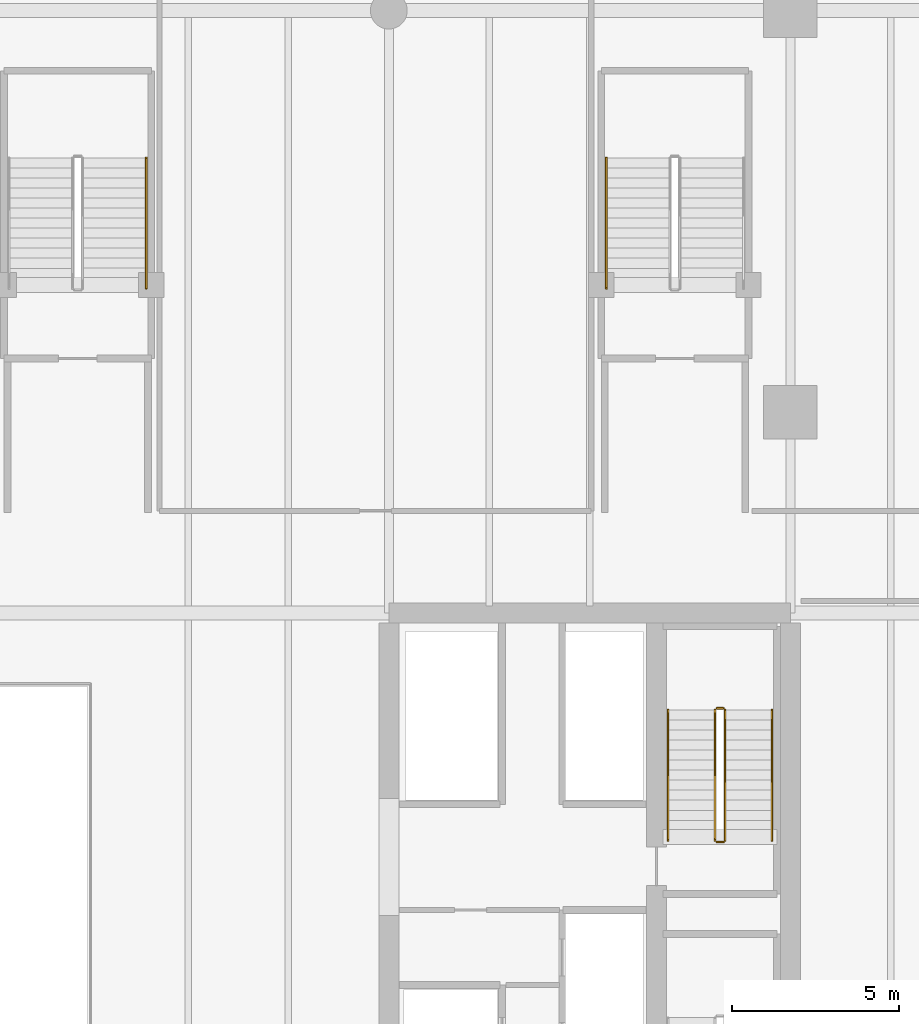
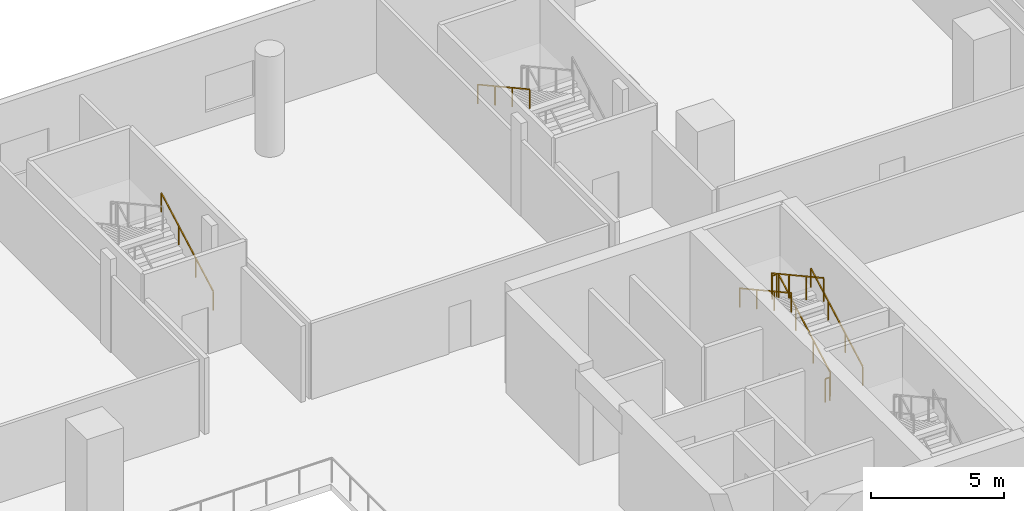
# One storey, part 24 of 27: 8 railings.
"""IFC4 building model written with IfcOpenShell, lengths in metres."""

import ifcopenshell
import ifcopenshell.guid

model = None  # the IFC model being written
_history = None  # IfcOwnerHistory: only IFC2X3 demands one
_inside = {}  # id of a spatial element -> (the spatial element, [elements in it])
_under = {}  # id of a project, library or spatial element -> (it, [spatial elements below it])
_declared = {}  # id of a project -> (the project, [libraries it declares])
_typed = {}  # id of a type object -> (the type object, [elements of that type])
_made_of = {}  # id of a material, layer set ... -> (it, [elements and type objects made of it])


def new_model(schema):
    """Start an empty IFC model of exactly this schema.

    Asked for "IFC4X3", IfcOpenShell would pick the latest addendum, in which some entities
    have other attributes; the version numbers below select the first issue.
    IFC2X3 requires an IfcOwnerHistory on every rooted entity: one is made here for all.
    """
    global model, _history
    if schema == "IFC4X3":
        model = ifcopenshell.file(schema_version=(4, 3, 0, 0))
    else:
        model = ifcopenshell.file(schema=schema)
    _inside.clear()
    _under.clear()
    _declared.clear()
    _typed.clear()
    _made_of.clear()
    _history = None
    if model.schema == "IFC2X3":
        org = make("IfcOrganization", Name="unknown")
        user = make(
            "IfcPersonAndOrganization",
            ThePerson=make("IfcPerson", FamilyName="unknown"),
            TheOrganization=org,
        )
        app = make(
            "IfcApplication",
            ApplicationDeveloper=org,
            Version="unknown",
            ApplicationFullName="unknown",
            ApplicationIdentifier="unknown",
        )
        _history = make(
            "IfcOwnerHistory",
            OwningUser=user,
            OwningApplication=app,
            ChangeAction="ADDED",
            CreationDate=0,
        )
    return model


def make(cls, **values):
    """One entity of the class cls with the attributes given. An attribute that is None is left unset."""
    return model.create_entity(
        cls, **{name: value for name, value in values.items() if value is not None}
    )


def rooted(cls, **values):
    """An entity with a GlobalId (a new one), such as an element, a storey or a relation."""
    return make(cls, GlobalId=ifcopenshell.guid.new(), OwnerHistory=_history, **values)


def si_unit(unit_type, name, prefix=None):
    """IfcSIUnit, for example si_unit("LENGTHUNIT", "METRE", prefix="MILLI")."""
    return make("IfcSIUnit", UnitType=unit_type, Prefix=prefix, Name=name)


def assignment(units):
    """IfcUnitAssignment: the units of a project."""
    return None if units is None else make("IfcUnitAssignment", Units=units)


def point(xyz):
    """IfcCartesianPoint."""
    return None if xyz is None else make("IfcCartesianPoint", Coordinates=xyz)


def direction(xyz):
    """IfcDirection."""
    return None if xyz is None else make("IfcDirection", DirectionRatios=xyz)


def frame(location, z_axis=None, x_axis=None):
    """IfcAxis2Placement3D, a coordinate frame: its origin and axes. An axis left out is left unset."""
    return make(
        "IfcAxis2Placement3D",
        Location=point(location),
        Axis=direction(z_axis),
        RefDirection=direction(x_axis),
    )


def origin():
    """The frame at (0, 0, 0) with its axes left unset."""
    return frame((0.0, 0.0, 0.0))


def place(relative_to, where):
    """IfcLocalPlacement: puts the frame where relative to a parent placement (None: the world)."""
    return make(
        "IfcLocalPlacement", PlacementRelTo=relative_to, RelativePlacement=where
    )


def context(
    kind, dimensions, precision=None, world=None, true_north=None, identifier=None
):
    """IfcGeometricRepresentationContext, for example the 3D "Model" context."""
    return make(
        "IfcGeometricRepresentationContext",
        ContextIdentifier=identifier,
        ContextType=kind,
        CoordinateSpaceDimension=dimensions,
        Precision=precision,
        WorldCoordinateSystem=world,
        TrueNorth=true_north,
    )


def subcontext(parent, identifier, kind, view, scale=None):
    """IfcGeometricRepresentationSubContext, for example "Body" below "Model"."""
    return make(
        "IfcGeometricRepresentationSubContext",
        ContextIdentifier=identifier,
        ContextType=kind,
        ParentContext=parent,
        TargetScale=scale,
        TargetView=view,
    )


def project(units=None, contexts=None):
    """IfcProject with its units and contexts."""
    return rooted(
        "IfcProject",
        Name="project",
        RepresentationContexts=contexts,
        UnitsInContext=assignment(units),
    )


def spatial(cls, under=None, at=None, **own):
    """A site, building, storey or space (cls), placed at a placement, below another one or the project."""
    s = rooted(cls, ObjectPlacement=at, **own)
    if under is not None:
        _under.setdefault(under.id(), (under, []))[1].append(s)
    return s


def profile(cls, at=None, kind="AREA", **sizes):
    """A parametric profile (cls). Its sizes go by their IFC names, for example OverallWidth=200.0."""
    return make(cls, ProfileType=kind, Position=at, **sizes)


def rectangle(**sizes):
    """IfcRectangleProfileDef."""
    return profile("IfcRectangleProfileDef", **sizes)


def extrude(swept, where, along, depth):
    """IfcExtrudedAreaSolid: the profile swept, set in the frame where, extruded along a direction by depth."""
    return make(
        "IfcExtrudedAreaSolid",
        SweptArea=swept,
        Position=where,
        ExtrudedDirection=direction(along),
        Depth=depth,
    )


def shape(context_of_items, identifier, shape_type, items):
    """IfcShapeRepresentation: the items that make up one representation, for example the "Body"."""
    return make(
        "IfcShapeRepresentation",
        ContextOfItems=context_of_items,
        RepresentationIdentifier=identifier,
        RepresentationType=shape_type,
        Items=items,
    )


def material(Name=None, Category=None):
    """IfcMaterial."""
    return make("IfcMaterial", Name=Name, Category=Category)


def made_of(thing, what):
    """Note that an element or type object is made of a material, layer set ...; save() writes the relation."""
    if what is not None:
        _made_of.setdefault(what.id(), (what, []))[1].append(thing)
    return thing


def type_object(cls, material=None, **own):
    """A type object (cls), such as IfcWallType, which elements share."""
    return made_of(rooted(cls, **own), material)


def element(
    cls,
    number,
    at=None,
    inside=None,
    cuts=None,
    type_object=None,
    material=None,
    context=None,
    identifier="Body",
    shape_type=None,
    held_by="IfcProductDefinitionShape",
    body=None,
    shapes=None,
    **own,
):
    """One element of the class cls, such as IfcWall. Its Tag is "e" and its number.

    at: its placement. inside: the storey or other place that contains it. cuts: it is an
    opening in that element (IfcRelVoidsElement). A single representation is given by context,
    identifier, shape_type and body (its items); several are given by shapes. held_by: the class
    of the entity that holds the representations. save() writes the other relations.
    """
    e = rooted(cls, Tag="e%d" % number, ObjectPlacement=at, **own)
    if body is not None:
        shapes = [shape(context, identifier, shape_type, body)]
    if shapes is not None:
        e.Representation = make(held_by, Representations=shapes)
    if inside is not None:
        _inside.setdefault(inside.id(), (inside, []))[1].append(e)
    if cuts is not None:
        rooted(
            "IfcRelVoidsElement", RelatingBuildingElement=cuts, RelatedOpeningElement=e
        )
    if type_object is not None:
        _typed.setdefault(type_object.id(), (type_object, []))[1].append(e)
    return made_of(e, material)


def aggregate(whole, parts):
    """IfcRelAggregates: a whole, such as a stair, and the parts it consists of."""
    return rooted("IfcRelAggregates", RelatingObject=whole, RelatedObjects=parts)


def save(model, path):
    """Write the relations noted so far, then the file.

    IfcRelAggregates (storeys below a building ...), IfcRelContainedInSpatialStructure (elements
    in a storey), IfcRelDefinesByType, IfcRelAssociatesMaterial and IfcRelDeclares: one each for
    every whole, place, type object, material and project.
    """
    for whole, parts in _under.values():
        aggregate(whole, parts)
    for where, things in _inside.values():
        rooted(
            "IfcRelContainedInSpatialStructure",
            RelatedElements=things,
            RelatingStructure=where,
        )
    for kind, things in _typed.values():
        rooted("IfcRelDefinesByType", RelatedObjects=things, RelatingType=kind)
    for what, things in _made_of.values():
        rooted("IfcRelAssociatesMaterial", RelatedObjects=things, RelatingMaterial=what)
    for by, libraries in _declared.values():
        rooted("IfcRelDeclares", RelatingContext=by, RelatedDefinitions=libraries)
    model.write(path)


model = new_model("IFC4")

# Units and contexts
model_context = context("Model", 3, precision=1e-05, world=origin(), true_north=direction((0.0, 1.0)))
body_context = subcontext(model_context, "Body", "Model", "MODEL_VIEW")
ifc_project = project(units=[si_unit("LENGTHUNIT", "METRE"), si_unit("AREAUNIT", "SQUARE_METRE"), si_unit("VOLUMEUNIT", "CUBIC_METRE"), si_unit("PLANEANGLEUNIT", "RADIAN"), si_unit("MASSUNIT", "GRAM", prefix="KILO")], contexts=[model_context])

# Site, building, storey
site_placement = place(None, origin())
site = spatial("IfcSite", under=ifc_project, at=site_placement, CompositionType="ELEMENT")
building_placement = place(site_placement, origin())
building = spatial("IfcBuilding", under=site, at=building_placement, Name="Tanjung Sevakor Pilgrim Tower", CompositionType="ELEMENT")
storey_placement = place(building_placement, frame((0.0, 0.0, 19.469970703125)))
storey = spatial("IfcBuildingStorey", under=building, at=storey_placement, Name="L05", CompositionType="ELEMENT", Elevation=19.469970703125)

# Railings
ifc_material_1 = material(Name="Steel S355J2", Category="steel")
railing_type_1 = type_object("IfcRailingType", Name="RL-STAIR-GUARD", PredefinedType="GUARDRAIL", material=ifc_material_1)
railing_1_placement = place(storey_placement, frame((88.050048828125, 35.800048828125, 0.1650390625)))
element("IfcRailing", 1, at=railing_1_placement, inside=storey, type_object=railing_type_1, Name="L05 TS-E2 stair guard 1", PredefinedType="GUARDRAIL", context=body_context, shape_type="SweptSolid", body=[
    extrude(rectangle(XDim=0.0479, YDim=0.0479), frame((0.0, 0.0, 1.076171875), z_axis=(0.0, 0.876208959939, 0.481931383625), x_axis=(-1.0, 0.0, 0.0)), (0.0, 0.0, 1.0), 4.450927734375),
    extrude(rectangle(XDim=0.042, YDim=0.042), origin(), (0.0, 0.0, 1.0), 1.052001953125),
    extrude(rectangle(XDim=0.042, YDim=0.042), frame((0.0, 1.300048828125, 0.715087890625)), (0.0, 0.0, 1.0), 1.052001953125),
    extrude(rectangle(XDim=0.042, YDim=0.042), frame((0.0, 2.599853515625, 1.429931640625)), (0.0, 0.0, 1.0), 1.052001953125),
    extrude(rectangle(XDim=0.042, YDim=0.042), frame((0.0, 3.89990234375, 2.14501953125)), (0.0, 0.0, 1.0), 1.052001953125),
])
railing_2_placement = place(storey_placement, frame((88.0, 39.75, 2.31005859375)))
element("IfcRailing", 2, at=railing_2_placement, inside=storey, type_object=railing_type_1, Name="L05 TS-E2 stair guard 2", PredefinedType="GUARDRAIL", context=body_context, shape_type="SweptSolid", body=[
    extrude(rectangle(XDim=0.0479, YDim=0.0479), frame((0.0, 0.0, 1.076171875), z_axis=(-1.0, 0.0, 0.0), x_axis=(0.0, -1.0, 0.0)), (0.0, 0.0, 1.0), 0.199951171875),
    extrude(rectangle(XDim=0.042, YDim=0.042), origin(), (0.0, 0.0, 1.0), 1.052001953125),
    extrude(rectangle(XDim=0.042, YDim=0.042), frame((-0.199951171875, 0.0, 0.0)), (0.0, 0.0, 1.0), 1.052001953125),
])
railing_3_placement = place(storey_placement, frame((87.75, 39.699951171875, 2.47509765625)))
element("IfcRailing", 3, at=railing_3_placement, inside=storey, type_object=railing_type_1, Name="L05 TS-E2 stair guard 3", PredefinedType="GUARDRAIL", context=body_context, shape_type="SweptSolid", body=[
    extrude(rectangle(XDim=0.0479, YDim=0.0479), frame((0.0, 0.0, 1.076171875), z_axis=(0.0, -0.876208959939, 0.481931383625), x_axis=(1.0, 0.0, 0.0)), (0.0, 0.0, 1.0), 4.450927734375),
    extrude(rectangle(XDim=0.042, YDim=0.042), origin(), (0.0, 0.0, 1.0), 1.052001953125),
    extrude(rectangle(XDim=0.042, YDim=0.042), frame((0.0, -1.300048828125, 0.715087890625)), (0.0, 0.0, 1.0), 1.052001953125),
    extrude(rectangle(XDim=0.042, YDim=0.042), frame((0.0, -2.599853515625, 1.429931640625)), (0.0, 0.0, 1.0), 1.052001953125),
    extrude(rectangle(XDim=0.042, YDim=0.042), frame((0.0, -3.89990234375, 2.14501953125)), (0.0, 0.0, 1.0), 1.052001953125),
])
railing_4_placement = place(storey_placement, frame((88.0, 35.75, 0.0)))
element("IfcRailing", 4, at=railing_4_placement, inside=storey, type_object=railing_type_1, Name="L05 TS-E2 stair guard 4", PredefinedType="GUARDRAIL", context=body_context, shape_type="SweptSolid", body=[
    extrude(rectangle(XDim=0.0479, YDim=0.0479), frame((0.0, 0.0, 1.076171875), z_axis=(-1.0, 0.0, 0.0), x_axis=(0.0, -1.0, 0.0)), (0.0, 0.0, 1.0), 0.199951171875),
    extrude(rectangle(XDim=0.042, YDim=0.042), origin(), (0.0, 0.0, 1.0), 1.052001953125),
    extrude(rectangle(XDim=0.042, YDim=0.042), frame((-0.199951171875, 0.0, 0.0)), (0.0, 0.0, 1.0), 1.052001953125),
])
ifc_material_2 = material(Name="Steel S355J2", Category="steel")
railing_type_2 = type_object("IfcRailingType", Name="RL-STAIR-HAND", PredefinedType="HANDRAIL", material=ifc_material_2)
railing_5_placement = place(storey_placement, frame((89.449951171875, 35.800048828125, 0.1650390625)))
element("IfcRailing", 5, at=railing_5_placement, inside=storey, type_object=railing_type_2, Name="L05 TS-E2 stair handrail 1", PredefinedType="HANDRAIL", context=body_context, shape_type="SweptSolid", body=[
    extrude(rectangle(XDim=0.0479, YDim=0.0479), frame((0.0, 0.0, 0.8759765625), z_axis=(0.0, 0.876208959939, 0.481931383625), x_axis=(-1.0, 0.0, 0.0)), (0.0, 0.0, 1.0), 4.450927734375),
    extrude(rectangle(XDim=0.042, YDim=0.042), origin(), (0.0, 0.0, 1.0), 0.851806640625),
    extrude(rectangle(XDim=0.042, YDim=0.042), frame((0.0, 1.300048828125, 0.715087890625)), (0.0, 0.0, 1.0), 0.851806640625),
    extrude(rectangle(XDim=0.042, YDim=0.042), frame((0.0, 2.599853515625, 1.429931640625)), (0.0, 0.0, 1.0), 0.851806640625),
    extrude(rectangle(XDim=0.042, YDim=0.042), frame((0.0, 3.89990234375, 2.14501953125)), (0.0, 0.0, 1.0), 0.851806640625),
])
railing_6_placement = place(storey_placement, frame((86.35009765625, 39.699951171875, 2.47509765625)))
element("IfcRailing", 6, at=railing_6_placement, inside=storey, type_object=railing_type_2, Name="L05 TS-E2 stair handrail 2", PredefinedType="HANDRAIL", context=body_context, shape_type="SweptSolid", body=[
    extrude(rectangle(XDim=0.0479, YDim=0.0479), frame((0.0, 0.0, 0.8759765625), z_axis=(0.0, -0.876208959939, 0.481931383625), x_axis=(1.0, 0.0, 0.0)), (0.0, 0.0, 1.0), 4.450927734375),
    extrude(rectangle(XDim=0.042, YDim=0.042), origin(), (0.0, 0.0, 1.0), 0.851806640625),
    extrude(rectangle(XDim=0.042, YDim=0.042), frame((0.0, -1.300048828125, 0.715087890625)), (0.0, 0.0, 1.0), 0.851806640625),
    extrude(rectangle(XDim=0.042, YDim=0.042), frame((0.0, -2.599853515625, 1.429931640625)), (0.0, 0.0, 1.0), 0.851806640625),
    extrude(rectangle(XDim=0.042, YDim=0.042), frame((0.0, -3.89990234375, 2.14501953125)), (0.0, 0.0, 1.0), 0.851806640625),
])
railing_7_placement = place(storey_placement, frame((70.75, 52.300048828125, 0.1650390625)))
element("IfcRailing", 7, at=railing_7_placement, inside=storey, type_object=railing_type_2, Name="L05 PS-4 stair handrail 1", PredefinedType="HANDRAIL", context=body_context, shape_type="SweptSolid", body=[
    extrude(rectangle(XDim=0.0479, YDim=0.0479), frame((0.0, 0.0, 0.8759765625), z_axis=(0.0, 0.876208959939, 0.481931383625), x_axis=(-1.0, 0.0, 0.0)), (0.0, 0.0, 1.0), 4.450927734375),
    extrude(rectangle(XDim=0.042, YDim=0.042), origin(), (0.0, 0.0, 1.0), 0.851806640625),
    extrude(rectangle(XDim=0.042, YDim=0.042), frame((0.0, 1.300048828125, 0.715087890625)), (0.0, 0.0, 1.0), 0.851806640625),
    extrude(rectangle(XDim=0.042, YDim=0.042), frame((0.0, 2.599853515625, 1.429931640625)), (0.0, 0.0, 1.0), 0.851806640625),
    extrude(rectangle(XDim=0.042, YDim=0.042), frame((0.0, 3.89990234375, 2.14501953125)), (0.0, 0.0, 1.0), 0.851806640625),
])
railing_8_placement = place(storey_placement, frame((84.5, 56.199951171875, 2.47509765625)))
element("IfcRailing", 8, at=railing_8_placement, inside=storey, type_object=railing_type_2, Name="L05 PS-6 stair handrail 2", PredefinedType="HANDRAIL", context=body_context, shape_type="SweptSolid", body=[
    extrude(rectangle(XDim=0.0479, YDim=0.0479), frame((0.0, 0.0, 0.8759765625), z_axis=(0.0, -0.876208959939, 0.481931383625), x_axis=(1.0, 0.0, 0.0)), (0.0, 0.0, 1.0), 4.450927734375),
    extrude(rectangle(XDim=0.042, YDim=0.042), origin(), (0.0, 0.0, 1.0), 0.851806640625),
    extrude(rectangle(XDim=0.042, YDim=0.042), frame((0.0, -1.300048828125, 0.715087890625)), (0.0, 0.0, 1.0), 0.851806640625),
    extrude(rectangle(XDim=0.042, YDim=0.042), frame((0.0, -2.599853515625, 1.429931640625)), (0.0, 0.0, 1.0), 0.851806640625),
    extrude(rectangle(XDim=0.042, YDim=0.042), frame((0.0, -3.89990234375, 2.14501953125)), (0.0, 0.0, 1.0), 0.851806640625),
])

save(model, "model.ifc")
